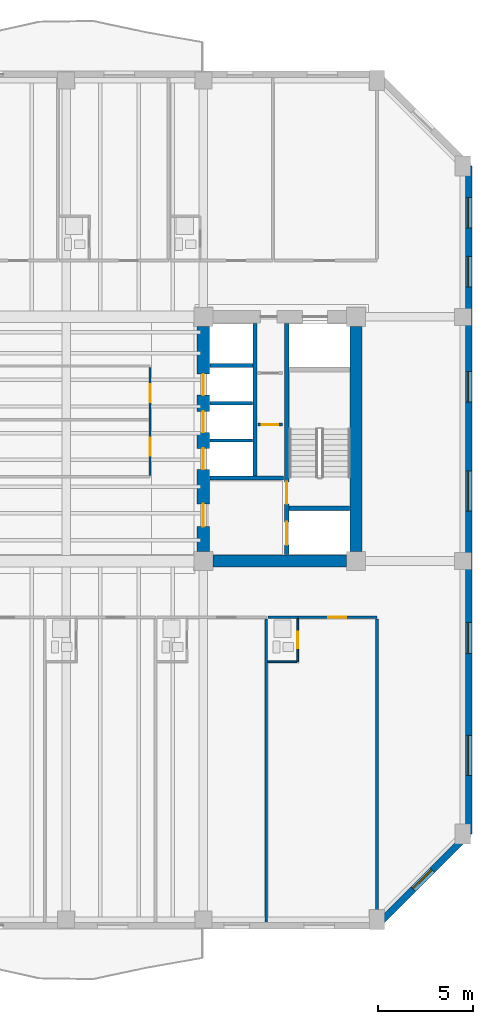
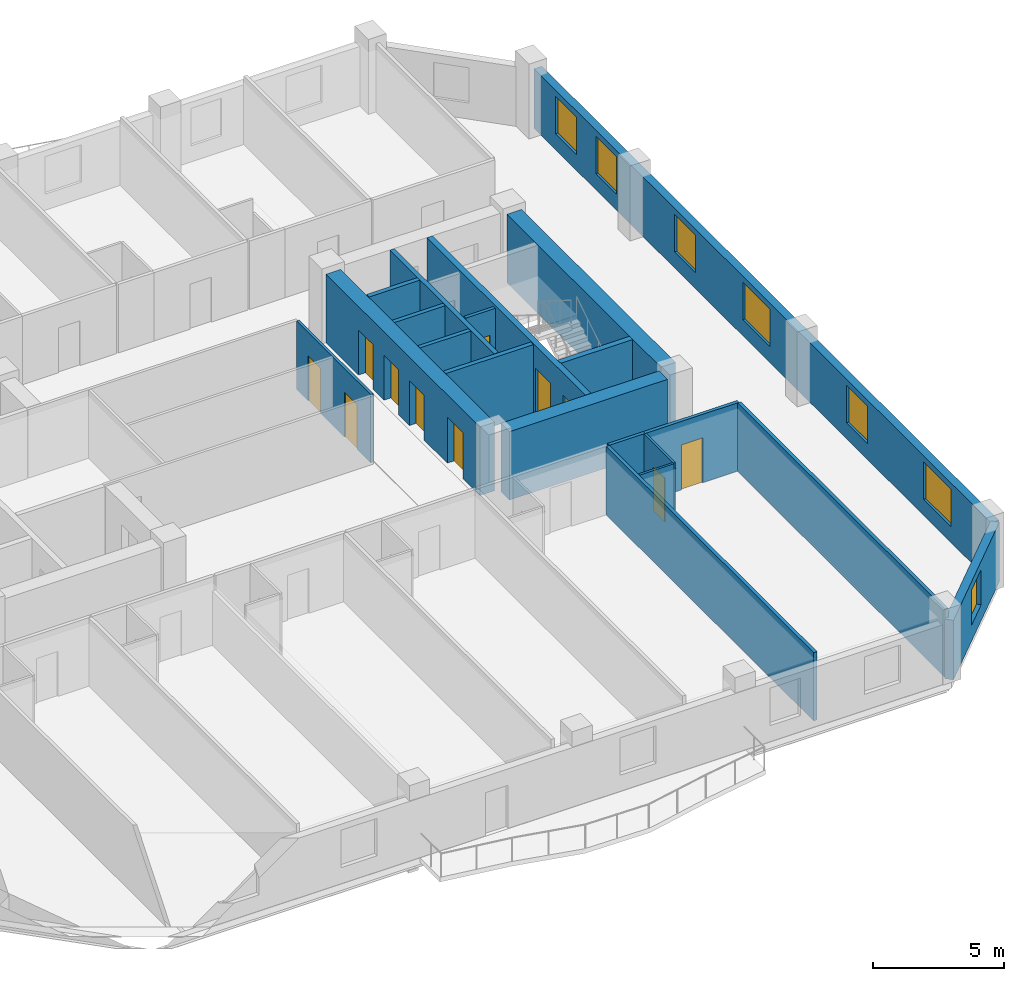
# One storey, part 4 of 11: 20 walls, 11 doors, 7 windows, 18 openings.
"""IFC4 building model written with IfcOpenShell, lengths in metres."""

from ifc_helpers import new_model, si_unit, direction, frame, frame_2d, origin, place, context, subcontext, project, spatial, rectangle, extrude, material, layer, layer_set, type_object, element, fill, save


model = new_model("IFC4")

# Units and contexts
model_context = context("Model", 3, precision=1e-05, world=origin(), true_north=direction((0.0, 1.0)))
body_context = subcontext(model_context, "Body", "Model", "MODEL_VIEW")
ifc_project = project(units=[si_unit("LENGTHUNIT", "METRE"), si_unit("AREAUNIT", "SQUARE_METRE"), si_unit("VOLUMEUNIT", "CUBIC_METRE"), si_unit("PLANEANGLEUNIT", "RADIAN"), si_unit("MASSUNIT", "GRAM", prefix="KILO")], contexts=[model_context])

# Site, building, storey
site_placement = place(None, origin())
site = spatial("IfcSite", under=ifc_project, at=site_placement, CompositionType="ELEMENT")
building_placement = place(site_placement, origin())
building = spatial("IfcBuilding", under=site, at=building_placement, Name="Kranthara Brick Stack", CompositionType="ELEMENT")
storey_placement = place(building_placement, frame((0.0, 0.0, 130.800048828125)))
storey = spatial("IfcBuildingStorey", under=building, at=storey_placement, Name="L32", CompositionType="ELEMENT", Elevation=130.800048828125)

# Wall, openings, windows
ifc_material_1 = material(Name="Kiln-fired clay brick masonry M15", Category="masonry")
ifc_layer_1 = layer(ifc_material_1, 0.35009765625)
ifc_layer_set_1 = layer_set([ifc_layer_1], Name="Kiln-fired clay brick masonry M15")
wall_type_1 = type_object("IfcWallType", Name="WL-BRK-SPND-350", PredefinedType="STANDARD", material=ifc_layer_set_1)
wall_1_placement = place(storey_placement, frame((49.10498046875, 41.5, 0.0), z_axis=(0.0, 0.0, 1.0), x_axis=(0.0, -1.0, 0.0)))
wall_1 = element("IfcWall", 1, at=wall_1_placement, inside=storey, type_object=wall_type_1, Name="L32 Exterior Brick Facade Wall EAST 1", PredefinedType="STANDARD", context=body_context, shape_type="SweptSolid", body=[
    extrude(rectangle(XDim=35.0, YDim=0.35009765625, at=frame_2d((17.5, 0.0))), origin(), (0.0, 0.0, 1.0), 2.784912109375),
])
opening_1_placement = place(wall_1_placement, frame((1.64501953125, 0.0, 0.75)))
opening_1 = element("IfcOpeningElement", 2, at=opening_1_placement, cuts=wall_1, Name="Opening WN04", PredefinedType="OPENING", context=body_context, shape_type="SweptSolid", body=[
    extrude(rectangle(XDim=1.60009765625, YDim=1.75, at=frame_2d((0.800048828125, 0.875))), frame((0.0, 0.18505859375, 0.0), z_axis=(0.0, -1.0, 0.0), x_axis=(1.0, 0.0, 0.0)), (0.0, 0.0, 1.0), 0.3701171875),
])
opening_2_placement = place(wall_1_placement, frame((4.72900390625, 0.0, 0.75)))
opening_2 = element("IfcOpeningElement", 3, at=opening_2_placement, cuts=wall_1, Name="Opening WN04", PredefinedType="OPENING", context=body_context, shape_type="SweptSolid", body=[
    extrude(rectangle(XDim=1.60009765625, YDim=1.75, at=frame_2d((0.800048828125, 0.875))), frame((0.0, 0.18505859375, 0.0), z_axis=(0.0, -1.0, 0.0), x_axis=(1.0, 0.0, 0.0)), (0.0, 0.0, 1.0), 0.3701171875),
])
opening_3_placement = place(wall_1_placement, frame((10.763916015625, 0.0, 0.75)))
opening_3 = element("IfcOpeningElement", 4, at=opening_3_placement, cuts=wall_1, Name="Opening WN04", PredefinedType="OPENING", context=body_context, shape_type="SweptSolid", body=[
    extrude(rectangle(XDim=1.60009765625, YDim=1.75, at=frame_2d((0.800048828125, 0.875))), frame((0.0, 0.18505859375, 0.0), z_axis=(0.0, -1.0, 0.0), x_axis=(1.0, 0.0, 0.0)), (0.0, 0.0, 1.0), 0.3701171875),
])
opening_4_placement = place(wall_1_placement, frame((15.986083984375, 0.0, 0.75)))
opening_4 = element("IfcOpeningElement", 5, at=opening_4_placement, cuts=wall_1, Name="Opening WN05", PredefinedType="OPENING", context=body_context, shape_type="SweptSolid", body=[
    extrude(rectangle(XDim=2.10009765625, YDim=1.75, at=frame_2d((1.050048828125, 0.875))), frame((0.0, 0.18505859375, 0.0), z_axis=(0.0, -1.0, 0.0), x_axis=(1.0, 0.0, 0.0)), (0.0, 0.0, 1.0), 0.3701171875),
])
opening_5_placement = place(wall_1_placement, frame((23.93408203125, 0.0, 0.75)))
opening_5 = element("IfcOpeningElement", 6, at=opening_5_placement, cuts=wall_1, Name="Opening WN04", PredefinedType="OPENING", context=body_context, shape_type="SweptSolid", body=[
    extrude(rectangle(XDim=1.60009765625, YDim=1.75, at=frame_2d((0.800048828125, 0.875))), frame((0.0, 0.18505859375, 0.0), z_axis=(0.0, -1.0, 0.0), x_axis=(1.0, 0.0, 0.0)), (0.0, 0.0, 1.0), 0.3701171875),
])
opening_6_placement = place(wall_1_placement, frame((29.841064453125, 0.0, 0.75)))
opening_6 = element("IfcOpeningElement", 7, at=opening_6_placement, cuts=wall_1, Name="Opening WN05", PredefinedType="OPENING", context=body_context, shape_type="SweptSolid", body=[
    extrude(rectangle(XDim=2.10009765625, YDim=1.75, at=frame_2d((1.050048828125, 0.875))), frame((0.0, 0.18505859375, 0.0), z_axis=(0.0, -1.0, 0.0), x_axis=(1.0, 0.0, 0.0)), (0.0, 0.0, 1.0), 0.3701171875),
])
ifc_material_2 = material(Name="Double-glazed low-E solar control glass", Category="glass")
window_type_1 = type_object("IfcWindowType", Name="WN-HTL-1600x1850", PartitioningType="DOUBLE_PANEL_VERTICAL", PredefinedType="WINDOW", material=ifc_material_2)
window_1_placement = place(opening_1_placement, origin())
window_1 = element("IfcWindow", 8, at=window_1_placement, inside=storey, type_object=window_type_1, Name="L32 East Deep-Set Brick Window 01", OverallHeight=1.75, OverallWidth=1.60009765625, PartitioningType="SINGLE_PANEL", PredefinedType="WINDOW", context=body_context, shape_type="SweptSolid", body=[
    extrude(rectangle(XDim=1.60009765625, YDim=1.75, at=frame_2d((0.800048828125, 0.875))), frame((0.0, -0.010009765625, 0.0), z_axis=(0.0, -1.0, 0.0), x_axis=(1.0, 0.0, 0.0)), (0.0, 0.0, 1.0), 0.06005859375),
])
fill(opening_1, window_1)
window_2_placement = place(opening_2_placement, origin())
window_2 = element("IfcWindow", 9, at=window_2_placement, inside=storey, type_object=window_type_1, Name="L32 East Deep-Set Brick Window 02", OverallHeight=1.75, OverallWidth=1.60009765625, PartitioningType="SINGLE_PANEL", PredefinedType="WINDOW", context=body_context, shape_type="SweptSolid", body=[
    extrude(rectangle(XDim=1.60009765625, YDim=1.75, at=frame_2d((0.800048828125, 0.875))), frame((0.0, -0.010009765625, 0.0), z_axis=(0.0, -1.0, 0.0), x_axis=(1.0, 0.0, 0.0)), (0.0, 0.0, 1.0), 0.06005859375),
])
fill(opening_2, window_2)
window_3_placement = place(opening_3_placement, origin())
window_3 = element("IfcWindow", 10, at=window_3_placement, inside=storey, type_object=window_type_1, Name="L32 East Deep-Set Brick Window 03", OverallHeight=1.75, OverallWidth=1.60009765625, PartitioningType="SINGLE_PANEL", PredefinedType="WINDOW", context=body_context, shape_type="SweptSolid", body=[
    extrude(rectangle(XDim=1.60009765625, YDim=1.75, at=frame_2d((0.800048828125, 0.875))), frame((0.0, -0.010009765625, 0.0), z_axis=(0.0, -1.0, 0.0), x_axis=(1.0, 0.0, 0.0)), (0.0, 0.0, 1.0), 0.06005859375),
])
fill(opening_3, window_3)
window_4_placement = place(opening_5_placement, origin())
window_4 = element("IfcWindow", 11, at=window_4_placement, inside=storey, type_object=window_type_1, Name="L32 East Deep-Set Brick Window 05", OverallHeight=1.75, OverallWidth=1.60009765625, PartitioningType="SINGLE_PANEL", PredefinedType="WINDOW", context=body_context, shape_type="SweptSolid", body=[
    extrude(rectangle(XDim=1.60009765625, YDim=1.75, at=frame_2d((0.800048828125, 0.875))), frame((0.0, -0.010009765625, 0.0), z_axis=(0.0, -1.0, 0.0), x_axis=(1.0, 0.0, 0.0)), (0.0, 0.0, 1.0), 0.06005859375),
])
fill(opening_5, window_4)
ifc_material_3 = material(Name="Double-glazed low-E solar control glass", Category="glass")
window_type_2 = type_object("IfcWindowType", Name="WN-HTL-2100x1850", PartitioningType="DOUBLE_PANEL_VERTICAL", PredefinedType="WINDOW", material=ifc_material_3)
window_5_placement = place(opening_4_placement, origin())
window_5 = element("IfcWindow", 12, at=window_5_placement, inside=storey, type_object=window_type_2, Name="L32 East Deep-Set Brick Window 04", OverallHeight=1.75, OverallWidth=2.10009765625, PartitioningType="SINGLE_PANEL", PredefinedType="WINDOW", context=body_context, shape_type="SweptSolid", body=[
    extrude(rectangle(XDim=2.10009765625, YDim=1.75, at=frame_2d((1.050048828125, 0.875))), frame((0.0, -0.010009765625, 0.0), z_axis=(0.0, -1.0, 0.0), x_axis=(1.0, 0.0, 0.0)), (0.0, 0.0, 1.0), 0.06005859375),
])
fill(opening_4, window_5)
window_6_placement = place(opening_6_placement, origin())
window_6 = element("IfcWindow", 13, at=window_6_placement, inside=storey, type_object=window_type_2, Name="L32 East Deep-Set Brick Window 06", OverallHeight=1.75, OverallWidth=2.10009765625, PartitioningType="SINGLE_PANEL", PredefinedType="WINDOW", context=body_context, shape_type="SweptSolid", body=[
    extrude(rectangle(XDim=2.10009765625, YDim=1.75, at=frame_2d((1.050048828125, 0.875))), frame((0.0, -0.010009765625, 0.0), z_axis=(0.0, -1.0, 0.0), x_axis=(1.0, 0.0, 0.0)), (0.0, 0.0, 1.0), 0.06005859375),
])
fill(opening_6, window_6)

# Wall, opening, window
wall_2_placement = place(storey_placement, frame((49.10498046875, 6.5, 0.0), z_axis=(0.0, 0.0, 1.0), x_axis=(-0.707106781187, -0.707106781187, 0.0)))
wall_2 = element("IfcWall", 14, at=wall_2_placement, inside=storey, type_object=wall_type_1, Name="L32 Exterior Brick Facade Wall SE 1", PredefinedType="STANDARD", context=body_context, shape_type="SweptSolid", body=[
    extrude(rectangle(XDim=6.795166015625, YDim=0.35009765625, at=frame_2d((3.3974609375, 0.0))), origin(), (0.0, 0.0, 1.0), 2.784912109375),
])
opening_7_placement = place(wall_2_placement, frame((2.697998046875, 0.0, 0.75)))
opening_7 = element("IfcOpeningElement", 15, at=opening_7_placement, cuts=wall_2, Name="Opening WN10", PredefinedType="OPENING", context=body_context, shape_type="SweptSolid", body=[
    extrude(rectangle(XDim=1.39990234375, YDim=1.64990234375, at=frame_2d((0.699951171875, 0.824951171875))), frame((0.0, 0.18505859375, 0.0), z_axis=(0.0, -1.0, 0.0), x_axis=(1.0, 0.0, 0.0)), (0.0, 0.0, 1.0), 0.3701171875),
])
ifc_material_4 = material(Name="Double-glazed low-E solar control glass", Category="glass")
window_type_3 = type_object("IfcWindowType", Name="WN-CHM-1400x1750", PartitioningType="SINGLE_PANEL", PredefinedType="WINDOW", material=ifc_material_4)
window_7_placement = place(opening_7_placement, origin())
window_7 = element("IfcWindow", 16, at=window_7_placement, inside=storey, type_object=window_type_3, Name="L32 SE Chamfer Corner Window", OverallHeight=1.64990234375, OverallWidth=1.39990234375, PartitioningType="SINGLE_PANEL", PredefinedType="WINDOW", context=body_context, shape_type="SweptSolid", body=[
    extrude(rectangle(XDim=1.39990234375, YDim=1.64990234375, at=frame_2d((0.699951171875, 0.824951171875))), frame((0.0, -0.010009765625, 0.0), z_axis=(0.0, -1.0, 0.0), x_axis=(1.0, 0.0, 0.0)), (0.0, 0.0, 1.0), 0.06005859375),
])
fill(opening_7, window_7)

# Wall, openings, doors
ifc_material_5 = material(Name="Concrete C50/60", Category="concrete")
ifc_layer_2 = layer(ifc_material_5, 0.25)
ifc_layer_set_2 = layer_set([ifc_layer_2], Name="Concrete C50/60")
wall_type_2 = type_object("IfcWallType", Name="WL-CORE-250", PredefinedType="SHEAR", material=ifc_layer_set_2)
wall_3_placement = place(storey_placement, frame((39.56494140625, 21.135009765625, 0.0), z_axis=(0.0, 0.0, 1.0), x_axis=(0.0, 1.0, 0.0)))
wall_3 = element("IfcWall", 17, at=wall_3_placement, inside=storey, type_object=wall_type_2, Name="L32 East Core Stair Bearing Spine Wall", PredefinedType="SHEAR", context=body_context, shape_type="SweptSolid", body=[
    extrude(rectangle(XDim=12.1298828125, YDim=0.25, at=frame_2d((6.06494140625, 0.0))), origin(), (0.0, 0.0, 1.0), 3.199951171875),
])
opening_8_placement = place(wall_3_placement, frame((0.514892578125, 0.0, 0.0)))
opening_8 = element("IfcOpeningElement", 18, at=opening_8_placement, cuts=wall_3, Name="Opening LD01", PredefinedType="OPENING", context=body_context, shape_type="SweptSolid", body=[
    extrude(rectangle(XDim=1.199951171875, YDim=2.14990234375, at=frame_2d((0.60009765625, 1.074951171875))), frame((0.0, 0.135009765625, 0.0), z_axis=(0.0, -1.0, 0.0), x_axis=(1.0, 0.0, 0.0)), (0.0, 0.0, 1.0), 0.27001953125),
])
opening_9_placement = place(wall_3_placement, frame((2.6650390625, 0.0, 0.0)))
opening_9 = element("IfcOpeningElement", 19, at=opening_9_placement, cuts=wall_3, Name="Opening D05", PredefinedType="OPENING", context=body_context, shape_type="SweptSolid", body=[
    extrude(rectangle(XDim=1.14990234375, YDim=2.14990234375, at=frame_2d((0.574951171875, 1.074951171875))), frame((0.0, 0.135009765625, 0.0), z_axis=(0.0, -1.0, 0.0), x_axis=(1.0, 0.0, 0.0)), (0.0, 0.0, 1.0), 0.27001953125),
])
ifc_material_6 = material(Name="Stainless steel sliding landing door", Category="steel")
door_type_1 = type_object("IfcDoorType", Name="DR-LD-FF1200", OperationType="DOUBLE_DOOR_SLIDING", PredefinedType="DOOR", material=ifc_material_6)
door_1_placement = place(opening_8_placement, origin())
door_1 = element("IfcDoor", 20, at=door_1_placement, inside=storey, type_object=door_type_1, Name="L32 Firefighting Lift FF-02 Landing Door", OperationType="DOUBLE_DOOR_SLIDING", OverallHeight=2.14990234375, OverallWidth=1.199951171875, PredefinedType="DOOR", context=body_context, shape_type="SweptSolid", body=[
    extrude(rectangle(XDim=1.199951171875, YDim=2.14990234375, at=frame_2d((0.60009765625, 1.074951171875))), frame((0.0, 0.02490234375, 0.0), z_axis=(0.0, -1.0, 0.0), x_axis=(1.0, 0.0, 0.0)), (0.0, 0.0, 1.0), 0.050048828125),
])
fill(opening_8, door_1)
ifc_material_7 = material(Name="Solid-core hardwood timber leaf in steel frame", Category="steel")
door_type_2 = type_object("IfcDoorType", Name="DR-ST-1150", OperationType="NOTDEFINED", PredefinedType="DOOR", material=ifc_material_7)
door_2_placement = place(opening_9_placement, origin())
door_2 = element("IfcDoor", 21, at=door_2_placement, inside=storey, type_object=door_type_2, Name="L32 Exit Stair ST02 Door", OperationType="SINGLE_SWING_LEFT", OverallHeight=2.14990234375, OverallWidth=1.14990234375, PredefinedType="DOOR", context=body_context, shape_type="SweptSolid", body=[
    extrude(rectangle(XDim=1.14990234375, YDim=2.14990234375, at=frame_2d((0.574951171875, 1.074951171875))), frame((0.0, 0.02490234375, 0.0), z_axis=(0.0, -1.0, 0.0), x_axis=(1.0, 0.0, 0.0)), (0.0, 0.0, 1.0), 0.050048828125),
])
fill(opening_9, door_2)

# Walls
wall_4_placement = place(storey_placement, frame((39.68994140625, 23.570068359375, 0.0), z_axis=(0.0, 0.0, 1.0), x_axis=(1.0, 0.0, 0.0)))
element("IfcWall", 22, at=wall_4_placement, inside=storey, type_object=wall_type_2, Name="L32 East Stairwell Bearing Wall EFF", PredefinedType="SHEAR", context=body_context, shape_type="SweptSolid", body=[
    extrude(rectangle(XDim=3.175048828125, YDim=0.25, at=frame_2d((1.58740234375, 0.0))), origin(), (0.0, 0.0, 1.0), 3.199951171875),
])
ifc_material_8 = material(Name="Concrete C60/75", Category="concrete")
ifc_layer_3 = layer(ifc_material_8, 0.64990234375)
ifc_layer_set_3 = layer_set([ifc_layer_3], Name="Concrete C60/75")
wall_type_3 = type_object("IfcWallType", Name="WL-CORE-650", PredefinedType="SHEAR", material=ifc_layer_set_3)
wall_5_placement = place(storey_placement, frame((43.199951171875, 21.304931640625, 0.0), z_axis=(0.0, 0.0, 1.0), x_axis=(0.0, 1.0, 0.0)))
element("IfcWall", 23, at=wall_5_placement, inside=storey, type_object=wall_type_3, Name="L32 East Core Shear Wall East", PredefinedType="SHEAR", context=body_context, shape_type="SweptSolid", body=[
    extrude(rectangle(XDim=11.7900390625, YDim=0.64990234375, at=frame_2d((5.89501953125, 0.0))), origin(), (0.0, 0.0, 1.0), 3.199951171875),
])
wall_6_placement = place(storey_placement, frame((35.705078125, 20.800048828125, 0.0), z_axis=(0.0, 0.0, 1.0), x_axis=(1.0, 0.0, 0.0)))
element("IfcWall", 24, at=wall_6_placement, inside=storey, type_object=wall_type_3, Name="L32 East Core Shear Wall South", PredefinedType="SHEAR", context=body_context, shape_type="SweptSolid", body=[
    extrude(rectangle(XDim=6.989990234375, YDim=0.64990234375, at=frame_2d((3.4951171875, 0.0))), origin(), (0.0, 0.0, 1.0), 3.199951171875),
])

# Wall, openings, doors
wall_7_placement = place(storey_placement, frame((35.199951171875, 21.304931640625, 0.0), z_axis=(0.0, 0.0, 1.0), x_axis=(0.0, 1.0, 0.0)))
wall_7 = element("IfcWall", 25, at=wall_7_placement, inside=storey, type_object=wall_type_3, Name="L32 East Core Shear Wall West", PredefinedType="SHEAR", context=body_context, shape_type="SweptSolid", body=[
    extrude(rectangle(XDim=11.7900390625, YDim=0.64990234375, at=frame_2d((5.89501953125, 0.0))), origin(), (0.0, 0.0, 1.0), 3.199951171875),
])
opening_10_placement = place(wall_7_placement, frame((1.294921875, 0.0, 0.0)))
opening_10 = element("IfcOpeningElement", 26, at=opening_10_placement, cuts=wall_7, Name="Opening D06", PredefinedType="OPENING", context=body_context, shape_type="SweptSolid", body=[
    extrude(rectangle(XDim=1.199951171875, YDim=2.14990234375, at=frame_2d((0.60009765625, 1.074951171875))), frame((0.0, 0.3349609375, 0.0), z_axis=(0.0, -1.0, 0.0), x_axis=(1.0, 0.0, 0.0)), (0.0, 0.0, 1.0), 0.669921875),
])
opening_11_placement = place(wall_7_placement, frame((4.294921875, 0.0, 0.0)))
opening_11 = element("IfcOpeningElement", 27, at=opening_11_placement, cuts=wall_7, Name="Opening LD02", PredefinedType="OPENING", context=body_context, shape_type="SweptSolid", body=[
    extrude(rectangle(XDim=1.10009765625, YDim=2.10009765625, at=frame_2d((0.550048828125, 1.050048828125))), frame((0.0, 0.3349609375, 0.0), z_axis=(0.0, -1.0, 0.0), x_axis=(1.0, 0.0, 0.0)), (0.0, 0.0, 1.0), 0.669921875),
])
opening_12_placement = place(wall_7_placement, frame((6.2451171875, 0.0, 0.0)))
opening_12 = element("IfcOpeningElement", 28, at=opening_12_placement, cuts=wall_7, Name="Opening LD02", PredefinedType="OPENING", context=body_context, shape_type="SweptSolid", body=[
    extrude(rectangle(XDim=1.10009765625, YDim=2.10009765625, at=frame_2d((0.550048828125, 1.050048828125))), frame((0.0, 0.3349609375, 0.0), z_axis=(0.0, -1.0, 0.0), x_axis=(1.0, 0.0, 0.0)), (0.0, 0.0, 1.0), 0.669921875),
])
opening_13_placement = place(wall_7_placement, frame((8.195068359375, 0.0, 0.0)))
opening_13 = element("IfcOpeningElement", 29, at=opening_13_placement, cuts=wall_7, Name="Opening LD02", PredefinedType="OPENING", context=body_context, shape_type="SweptSolid", body=[
    extrude(rectangle(XDim=1.10009765625, YDim=2.10009765625, at=frame_2d((0.550048828125, 1.050048828125))), frame((0.0, 0.3349609375, 0.0), z_axis=(0.0, -1.0, 0.0), x_axis=(1.0, 0.0, 0.0)), (0.0, 0.0, 1.0), 0.669921875),
])
ifc_material_9 = material(Name="Solid-core hardwood timber leaf in steel frame", Category="steel")
door_type_3 = type_object("IfcDoorType", Name="DR-FFL-1200", OperationType="NOTDEFINED", PredefinedType="DOOR", material=ifc_material_9)
door_3_placement = place(opening_10_placement, origin())
door_3 = element("IfcDoor", 30, at=door_3_placement, inside=storey, type_object=door_type_3, Name="L32 East Firefighting Lobby Door", OperationType="SINGLE_SWING_RIGHT", OverallHeight=2.14990234375, OverallWidth=1.199951171875, PredefinedType="DOOR", context=body_context, shape_type="SweptSolid", body=[
    extrude(rectangle(XDim=1.199951171875, YDim=2.14990234375, at=frame_2d((0.60009765625, 1.074951171875))), frame((0.0, 0.02490234375, 0.0), z_axis=(0.0, -1.0, 0.0), x_axis=(1.0, 0.0, 0.0)), (0.0, 0.0, 1.0), 0.050048828125),
])
fill(opening_10, door_3)
ifc_material_10 = material(Name="Stainless steel sliding landing door", Category="steel")
door_type_4 = type_object("IfcDoorType", Name="DR-LD-PL1100", OperationType="DOUBLE_DOOR_SLIDING", PredefinedType="DOOR", material=ifc_material_10)
door_4_placement = place(opening_11_placement, origin())
door_4 = element("IfcDoor", 31, at=door_4_placement, inside=storey, type_object=door_type_4, Name="L32 PL-04 Lift Landing Door", OperationType="DOUBLE_DOOR_SLIDING", OverallHeight=2.10009765625, OverallWidth=1.10009765625, PredefinedType="DOOR", context=body_context, shape_type="SweptSolid", body=[
    extrude(rectangle(XDim=1.10009765625, YDim=2.10009765625, at=frame_2d((0.550048828125, 1.050048828125))), frame((0.0, 0.02490234375, 0.0), z_axis=(0.0, -1.0, 0.0), x_axis=(1.0, 0.0, 0.0)), (0.0, 0.0, 1.0), 0.050048828125),
])
fill(opening_11, door_4)
door_5_placement = place(opening_12_placement, origin())
door_5 = element("IfcDoor", 32, at=door_5_placement, inside=storey, type_object=door_type_4, Name="L32 PL-05 Lift Landing Door", OperationType="DOUBLE_DOOR_SLIDING", OverallHeight=2.10009765625, OverallWidth=1.10009765625, PredefinedType="DOOR", context=body_context, shape_type="SweptSolid", body=[
    extrude(rectangle(XDim=1.10009765625, YDim=2.10009765625, at=frame_2d((0.550048828125, 1.050048828125))), frame((0.0, 0.02490234375, 0.0), z_axis=(0.0, -1.0, 0.0), x_axis=(1.0, 0.0, 0.0)), (0.0, 0.0, 1.0), 0.050048828125),
])
fill(opening_12, door_5)
door_6_placement = place(opening_13_placement, origin())
door_6 = element("IfcDoor", 33, at=door_6_placement, inside=storey, type_object=door_type_4, Name="L32 PL-06 Lift Landing Door", OperationType="DOUBLE_DOOR_SLIDING", OverallHeight=2.10009765625, OverallWidth=1.10009765625, PredefinedType="DOOR", context=body_context, shape_type="SweptSolid", body=[
    extrude(rectangle(XDim=1.10009765625, YDim=2.10009765625, at=frame_2d((0.550048828125, 1.050048828125))), frame((0.0, 0.02490234375, 0.0), z_axis=(0.0, -1.0, 0.0), x_axis=(1.0, 0.0, 0.0)), (0.0, 0.0, 1.0), 0.050048828125),
])
fill(opening_13, door_6)

# Wall, opening, door
ifc_material_11 = material(Name="Moisture-resistant wet-room partition", Category="other")
ifc_layer_4 = layer(ifc_material_11, 0.10009765625)
ifc_layer_set_4 = layer_set([ifc_layer_4], Name="Moisture-resistant wet-room partition")
wall_type_4 = type_object("IfcWallType", Name="WL-PART-100", PredefinedType="PARTITIONING", material=ifc_layer_set_4)
wall_8_placement = place(storey_placement, frame((40.14404296875, 15.52001953125, 0.0), z_axis=(0.0, 0.0, 1.0), x_axis=(0.0, 1.0, 0.0)))
wall_8 = element("IfcWall", 34, at=wall_8_placement, inside=storey, type_object=wall_type_4, Name="L32 Interior Partition 037", PredefinedType="PARTITIONING", context=body_context, shape_type="SweptSolid", body=[
    extrude(rectangle(XDim=2.25, YDim=0.10009765625, at=frame_2d((1.125, 0.0))), origin(), (0.0, 0.0, 1.0), 3.199951171875),
])
opening_14_placement = place(wall_8_placement, frame((0.719970703125, 0.0, 0.0)))
opening_14 = element("IfcOpeningElement", 35, at=opening_14_placement, cuts=wall_8, Name="Opening D17", PredefinedType="OPENING", context=body_context, shape_type="SweptSolid", body=[
    extrude(rectangle(XDim=0.85009765625, YDim=2.050048828125, at=frame_2d((0.425048828125, 1.02490234375))), frame((0.0, 0.06005859375, 0.0), z_axis=(0.0, -1.0, 0.0), x_axis=(1.0, 0.0, 0.0)), (0.0, 0.0, 1.0), 0.1201171875),
])
ifc_material_12 = material(Name="Solid-core hardwood timber leaf in steel frame", Category="steel")
door_type_5 = type_object("IfcDoorType", Name="DR-WET-850", OperationType="NOTDEFINED", PredefinedType="DOOR", material=ifc_material_12)
door_7_placement = place(opening_14_placement, origin())
door_7 = element("IfcDoor", 36, at=door_7_placement, inside=storey, type_object=door_type_5, Name="L32 Key 06 En-Suite Door 17", OperationType="SINGLE_SWING_LEFT", OverallHeight=2.050048828125, OverallWidth=0.85009765625, PredefinedType="DOOR", context=body_context, shape_type="SweptSolid", body=[
    extrude(rectangle(XDim=0.85009765625, YDim=2.050048828125, at=frame_2d((0.425048828125, 1.02490234375))), frame((0.0, 0.02490234375, 0.0), z_axis=(0.0, -1.0, 0.0), x_axis=(1.0, 0.0, 0.0)), (0.0, 0.0, 1.0), 0.050048828125),
])
fill(opening_14, door_7)

# Wall
wall_9_placement = place(storey_placement, frame((38.573974609375, 15.52001953125, 0.0), z_axis=(0.0, 0.0, 1.0), x_axis=(1.0, 0.0, 0.0)))
element("IfcWall", 37, at=wall_9_placement, inside=storey, type_object=wall_type_4, Name="L32 Interior Partition 038", PredefinedType="PARTITIONING", context=body_context, shape_type="SweptSolid", body=[
    extrude(rectangle(XDim=1.51513671875, YDim=0.10009765625, at=frame_2d((0.757568359375, 0.0))), origin(), (0.0, 0.0, 1.0), 3.199951171875),
])

# Wall, openings, doors
ifc_material_13 = material(Name="Acoustic gypsum plasterboard partition", Category="other")
ifc_layer_5 = layer(ifc_material_13, 0.1201171875)
ifc_layer_set_5 = layer_set([ifc_layer_5], Name="Acoustic gypsum plasterboard partition")
wall_type_5 = type_object("IfcWallType", Name="WL-PART-120", PredefinedType="PARTITIONING", material=ifc_layer_set_5)
wall_10_placement = place(storey_placement, frame((32.39990234375, 25.284912109375, 0.0), z_axis=(0.0, 0.0, 1.0), x_axis=(0.0, 1.0, 0.0)))
wall_10 = element("IfcWall", 38, at=wall_10_placement, inside=storey, type_object=wall_type_5, Name="L32 Interior Partition 006", PredefinedType="PARTITIONING", context=body_context, shape_type="SweptSolid", body=[
    extrude(rectangle(XDim=5.670166015625, YDim=0.1201171875, at=frame_2d((2.8349609375, 0.0))), origin(), (0.0, 0.0, 1.0), 3.199951171875),
])
opening_15_placement = place(wall_10_placement, frame((1.034912109375, 0.0, 0.0)))
opening_15 = element("IfcOpeningElement", 39, at=opening_15_placement, cuts=wall_10, Name="Opening D14", PredefinedType="OPENING", context=body_context, shape_type="SweptSolid", body=[
    extrude(rectangle(XDim=0.949951171875, YDim=2.10009765625, at=frame_2d((0.47509765625, 1.050048828125))), frame((0.0, 0.070068359375, 0.0), z_axis=(0.0, -1.0, 0.0), x_axis=(1.0, 0.0, 0.0)), (0.0, 0.0, 1.0), 0.14013671875),
])
opening_16_placement = place(wall_10_placement, frame((3.8349609375, 0.0, 0.0)))
opening_16 = element("IfcOpeningElement", 40, at=opening_16_placement, cuts=wall_10, Name="Opening D14", PredefinedType="OPENING", context=body_context, shape_type="SweptSolid", body=[
    extrude(rectangle(XDim=0.949951171875, YDim=2.10009765625, at=frame_2d((0.47509765625, 1.050048828125))), frame((0.0, 0.070068359375, 0.0), z_axis=(0.0, -1.0, 0.0), x_axis=(1.0, 0.0, 0.0)), (0.0, 0.0, 1.0), 0.14013671875),
])
ifc_material_14 = material(Name="Solid-core hardwood timber leaf in steel frame", Category="steel")
door_type_6 = type_object("IfcDoorType", Name="DR-INT-950", OperationType="NOTDEFINED", PredefinedType="DOOR", material=ifc_material_14)
door_8_placement = place(opening_15_placement, origin())
door_8 = element("IfcDoor", 41, at=door_8_placement, inside=storey, type_object=door_type_6, Name="L32 Housekeeping Linen Door 05", OperationType="SINGLE_SWING_LEFT", OverallHeight=2.10009765625, OverallWidth=0.949951171875, PredefinedType="DOOR", context=body_context, shape_type="SweptSolid", body=[
    extrude(rectangle(XDim=0.949951171875, YDim=2.10009765625, at=frame_2d((0.47509765625, 1.050048828125))), frame((0.0, 0.02490234375, 0.0), z_axis=(0.0, -1.0, 0.0), x_axis=(1.0, 0.0, 0.0)), (0.0, 0.0, 1.0), 0.050048828125),
])
fill(opening_15, door_8)
door_9_placement = place(opening_16_placement, origin())
door_9 = element("IfcDoor", 42, at=door_9_placement, inside=storey, type_object=door_type_6, Name="L32 Pantry Door 06", OperationType="SINGLE_SWING_RIGHT", OverallHeight=2.10009765625, OverallWidth=0.949951171875, PredefinedType="DOOR", context=body_context, shape_type="SweptSolid", body=[
    extrude(rectangle(XDim=0.949951171875, YDim=2.10009765625, at=frame_2d((0.47509765625, 1.050048828125))), frame((0.0, 0.02490234375, 0.0), z_axis=(0.0, -1.0, 0.0), x_axis=(1.0, 0.0, 0.0)), (0.0, 0.0, 1.0), 0.050048828125),
])
fill(opening_16, door_9)

# Wall, opening, door
ifc_material_15 = material(Name="Fire-rated gypsum board partition", Category="other")
ifc_layer_6 = layer(ifc_material_15, 0.14990234375)
ifc_layer_set_6 = layer_set([ifc_layer_6], Name="Fire-rated gypsum board partition")
wall_type_6 = type_object("IfcWallType", Name="WL-PART-150", PredefinedType="PARTITIONING", material=ifc_layer_set_6)
wall_11_placement = place(storey_placement, frame((38.050048828125, 27.949951171875, 0.0), z_axis=(0.0, 0.0, 1.0), x_axis=(1.0, 0.0, 0.0)))
wall_11 = element("IfcWall", 43, at=wall_11_placement, inside=storey, type_object=wall_type_6, Name="L32 Interior Partition 002", PredefinedType="PARTITIONING", context=body_context, shape_type="SweptSolid", body=[
    extrude(rectangle(XDim=1.300048828125, YDim=0.14990234375, at=frame_2d((0.64990234375, 0.0))), origin(), (0.0, 0.0, 1.0), 3.199951171875),
])
opening_17_placement = place(wall_11_placement, frame((0.219970703125, 0.0, 0.0)))
opening_17 = element("IfcOpeningElement", 44, at=opening_17_placement, cuts=wall_11, Name="Opening D10", PredefinedType="OPENING", context=body_context, shape_type="SweptSolid", body=[
    extrude(rectangle(XDim=0.85009765625, YDim=2.02001953125, at=frame_2d((0.425048828125, 1.010009765625))), frame((0.0, 0.0849609375, 0.0), z_axis=(0.0, -1.0, 0.0), x_axis=(1.0, 0.0, 0.0)), (0.0, 0.0, 1.0), 0.169921875),
])
ifc_material_16 = material(Name="Solid-core hardwood timber leaf in steel frame", Category="steel")
door_type_7 = type_object("IfcDoorType", Name="DR-RSR-850", OperationType="NOTDEFINED", PredefinedType="DOOR", material=ifc_material_16)
door_10_placement = place(opening_17_placement, origin())
door_10 = element("IfcDoor", 45, at=door_10_placement, inside=storey, type_object=door_type_7, Name="L32 Riser Door 1 02", OperationType="SINGLE_SWING_RIGHT", OverallHeight=2.02001953125, OverallWidth=0.85009765625, PredefinedType="DOOR", context=body_context, shape_type="SweptSolid", body=[
    extrude(rectangle(XDim=0.85009765625, YDim=2.02001953125, at=frame_2d((0.425048828125, 1.010009765625))), frame((0.0, 0.02490234375, 0.0), z_axis=(0.0, -1.0, 0.0), x_axis=(1.0, 0.0, 0.0)), (0.0, 0.0, 1.0), 0.050048828125),
])
fill(opening_17, door_10)

# Walls
wall_12_placement = place(storey_placement, frame((38.493896484375, 1.875, 0.0), z_axis=(0.0, 0.0, 1.0), x_axis=(0.0, 1.0, 0.0)))
element("IfcWall", 46, at=wall_12_placement, inside=storey, type_object=wall_type_6, Name="L32 Interior Partition 034", PredefinedType="PARTITIONING", context=body_context, shape_type="SweptSolid", body=[
    extrude(rectangle(XDim=15.89501953125, YDim=0.14990234375, at=frame_2d((7.947509765625, 0.0))), origin(), (0.0, 0.0, 1.0), 3.199951171875),
])
wall_13_placement = place(storey_placement, frame((38.573974609375, 17.85009765625, 0.0), z_axis=(0.0, 0.0, 1.0), x_axis=(1.0, 0.0, 0.0)))
element("IfcWall", 47, at=wall_13_placement, inside=storey, type_object=wall_type_6, Name="L32 Interior Partition 035", PredefinedType="PARTITIONING", context=body_context, shape_type="SweptSolid", body=[
    extrude(rectangle(XDim=1.570068359375, YDim=0.14990234375, at=frame_2d((0.78515625, 0.0))), origin(), (0.0, 0.0, 1.0), 3.199951171875),
])

# Wall, opening, door
wall_14_placement = place(storey_placement, frame((40.14404296875, 17.85009765625, 0.0), z_axis=(0.0, 0.0, 1.0), x_axis=(1.0, 0.0, 0.0)))
wall_14 = element("IfcWall", 48, at=wall_14_placement, inside=storey, type_object=wall_type_6, Name="L32 Interior Partition 036", PredefinedType="PARTITIONING", context=body_context, shape_type="SweptSolid", body=[
    extrude(rectangle(XDim=4.156005859375, YDim=0.14990234375, at=frame_2d((2.078125, 0.0))), origin(), (0.0, 0.0, 1.0), 3.199951171875),
])
opening_18_placement = place(wall_14_placement, frame((1.597900390625, 0.0, 0.0)))
opening_18 = element("IfcOpeningElement", 49, at=opening_18_placement, cuts=wall_14, Name="Opening D09", PredefinedType="OPENING", context=body_context, shape_type="SweptSolid", body=[
    extrude(rectangle(XDim=0.949951171875, YDim=2.10009765625, at=frame_2d((0.47509765625, 1.050048828125))), frame((0.0, 0.0849609375, 0.0), z_axis=(0.0, -1.0, 0.0), x_axis=(1.0, 0.0, 0.0)), (0.0, 0.0, 1.0), 0.169921875),
])
ifc_material_17 = material(Name="Solid-core hardwood timber leaf in steel frame", Category="steel")
door_type_8 = type_object("IfcDoorType", Name="DR-FD-950", OperationType="NOTDEFINED", PredefinedType="DOOR", material=ifc_material_17)
door_11_placement = place(opening_18_placement, origin())
door_11 = element("IfcDoor", 50, at=door_11_placement, inside=storey, type_object=door_type_8, Name="L32 Key 06 Entry 18", OperationType="SINGLE_SWING_RIGHT", OverallHeight=2.10009765625, OverallWidth=0.949951171875, PredefinedType="DOOR", context=body_context, shape_type="SweptSolid", body=[
    extrude(rectangle(XDim=0.949951171875, YDim=2.10009765625, at=frame_2d((0.47509765625, 1.050048828125))), frame((0.0, 0.02490234375, 0.0), z_axis=(0.0, -1.0, 0.0), x_axis=(1.0, 0.0, 0.0)), (0.0, 0.0, 1.0), 0.050048828125),
])
fill(opening_18, door_11)

# Walls
wall_15_placement = place(storey_placement, frame((44.300048828125, 1.875, 0.0), z_axis=(0.0, 0.0, 1.0), x_axis=(0.0, 1.0, 0.0)))
element("IfcWall", 51, at=wall_15_placement, inside=storey, type_object=wall_type_6, Name="L32 Interior Partition 039", PredefinedType="PARTITIONING", context=body_context, shape_type="SweptSolid", body=[
    extrude(rectangle(XDim=15.89501953125, YDim=0.14990234375, at=frame_2d((7.947509765625, 0.0))), origin(), (0.0, 0.0, 1.0), 3.199951171875),
])
ifc_material_18 = material(Name="Gypsum plasterboard on acoustic twin stud", Category="other")
ifc_layer_7 = layer(ifc_material_18, 0.179931640625)
ifc_layer_set_7 = layer_set([ifc_layer_7], Name="Gypsum plasterboard on acoustic twin stud")
wall_type_7 = type_object("IfcWallType", Name="WL-PART-180", PredefinedType="PARTITIONING", material=ifc_layer_set_7)
for number, where, z_axis, x_axis, name in (
    (52, (35.534912109375, 27.1201171875, 0.0), (0.0, 0.0, 1.0), (1.0, 0.0, 0.0), "L32 East Hoistway Wall EH1"),
    (53, (35.534912109375, 29.080078125, 0.0), (0.0, 0.0, 1.0), (1.0, 0.0, 0.0), "L32 East Hoistway Wall EH2"),
):
    element("IfcWall", number, at=place(storey_placement, frame(where, z_axis=z_axis, x_axis=x_axis)), inside=storey, type_object=wall_type_7, Name=name, PredefinedType="PARTITIONING", context=body_context, shape_type="SweptSolid", body=[
        extrude(rectangle(XDim=2.2451171875, YDim=0.179931640625, at=frame_2d((1.12255859375, 0.0))), origin(), (0.0, 0.0, 1.0), 3.199951171875),
    ])
ifc_material_19 = material(Name="Concrete C40/50", Category="concrete")
ifc_layer_8 = layer(ifc_material_19, 0.199951171875)
ifc_layer_set_8 = layer_set([ifc_layer_8], Name="Concrete C40/50")
wall_type_8 = type_object("IfcWallType", Name="WL-PART-200", PredefinedType="SOLIDWALL", material=ifc_layer_set_8)
wall_16_placement = place(storey_placement, frame((35.534912109375, 25.14990234375, 0.0), z_axis=(0.0, 0.0, 1.0), x_axis=(1.0, 0.0, 0.0)))
element("IfcWall", 54, at=wall_16_placement, inside=storey, type_object=wall_type_8, Name="L32 East Core Cross Wall EFL", PredefinedType="SOLIDWALL", context=body_context, shape_type="SweptSolid", body=[
    extrude(rectangle(XDim=3.864990234375, YDim=0.199951171875, at=frame_2d((1.9326171875, 0.0))), origin(), (0.0, 0.0, 1.0), 3.199951171875),
])
wall_17_placement = place(storey_placement, frame((35.550048828125, 31.050048828125, 0.0), z_axis=(0.0, 0.0, 1.0), x_axis=(1.0, 0.0, 0.0)))
element("IfcWall", 55, at=wall_17_placement, inside=storey, type_object=wall_type_8, Name="L32 East Core Cross Wall EE4", PredefinedType="SOLIDWALL", context=body_context, shape_type="SweptSolid", body=[
    extrude(rectangle(XDim=2.25, YDim=0.199951171875, at=frame_2d((1.125, 0.0))), origin(), (0.0, 0.0, 1.0), 3.199951171875),
])
wall_18_placement = place(storey_placement, frame((37.89990234375, 25.27001953125, 0.0), z_axis=(0.0, 0.0, 1.0), x_axis=(0.0, 1.0, 0.0)))
element("IfcWall", 56, at=wall_18_placement, inside=storey, type_object=wall_type_8, Name="L32 East Core Cross Wall ESV", PredefinedType="SOLIDWALL", context=body_context, shape_type="SweptSolid", body=[
    extrude(rectangle(XDim=7.994873046875, YDim=0.199951171875, at=frame_2d((3.99755859375, 0.0))), origin(), (0.0, 0.0, 1.0), 3.199951171875),
])

save(model, "model.ifc")
